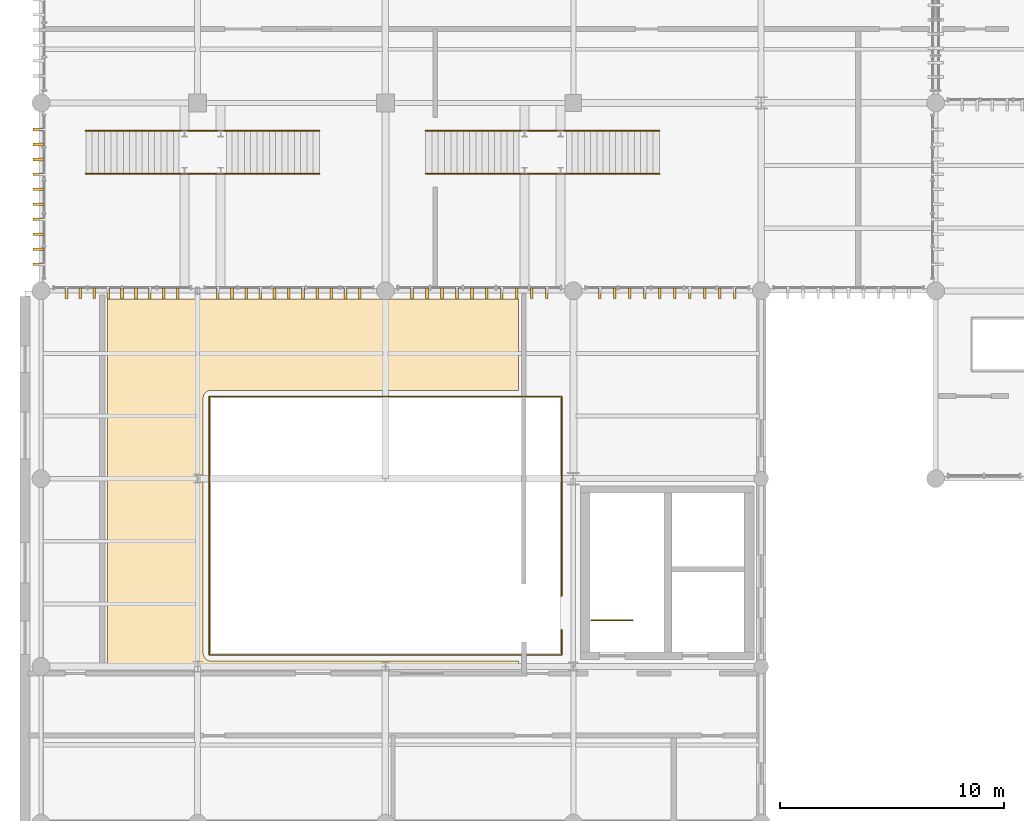
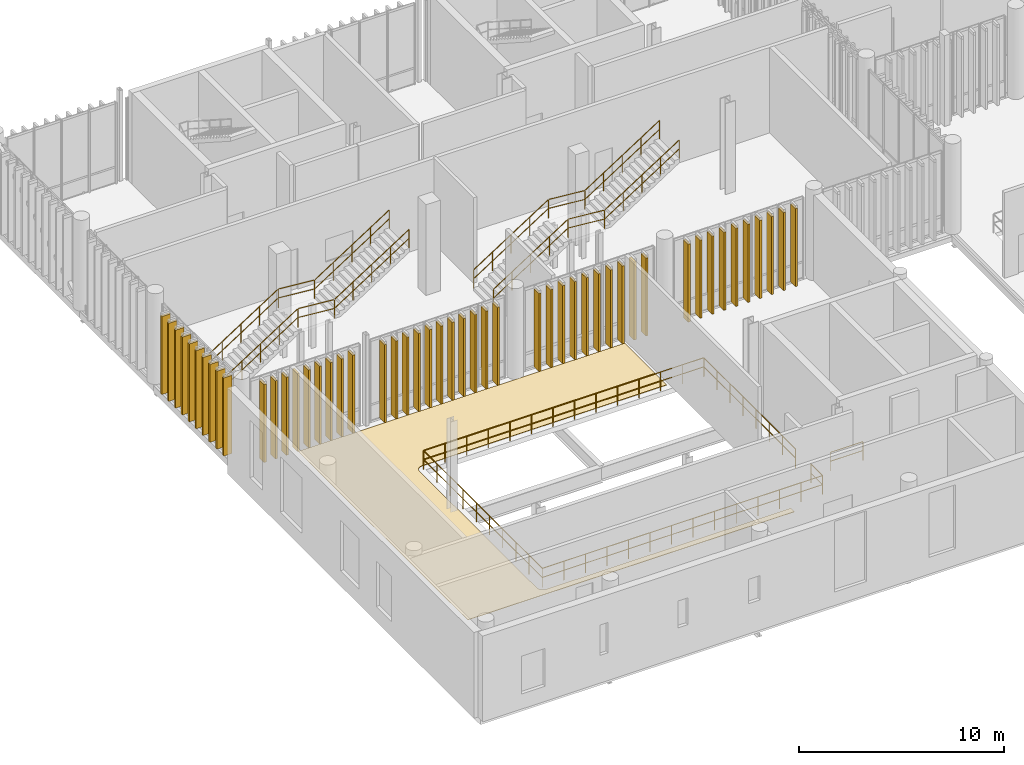
# One storey, part 119 of 128: 51 coverings, 10 railings.
"""IFC4 building model written with IfcOpenShell, lengths in metres."""

from ifc_helpers import new_model, si_unit, direction, frame, frame_2d, origin_with_axes, origin_2d_with_axis, place, context, subcontext, project, spatial, polyline, rectangle, circle, outline, extrude, material, type_object, element, save


model = new_model("IFC4")

# Units and contexts
model_context = context("Model", 3, precision=1e-05, world=origin_with_axes(), true_north=direction((0.0, 1.0)))
body_context = subcontext(model_context, "Body", "Model", "MODEL_VIEW")
ifc_project = project(units=[si_unit("LENGTHUNIT", "METRE"), si_unit("AREAUNIT", "SQUARE_METRE"), si_unit("VOLUMEUNIT", "CUBIC_METRE"), si_unit("PLANEANGLEUNIT", "RADIAN"), si_unit("MASSUNIT", "GRAM", prefix="KILO"), si_unit("THERMODYNAMICTEMPERATUREUNIT", "KELVIN")], contexts=[model_context])

# Site, building, storey
site_placement = place(None, origin_with_axes())
site = spatial("IfcSite", under=ifc_project, at=site_placement, CompositionType="ELEMENT")
building_placement = place(site_placement, origin_with_axes())
building = spatial("IfcBuilding", under=site, at=building_placement, Name="Montbau Bow Law Courts", CompositionType="ELEMENT")
storey_placement = place(building_placement, frame((0.0, 0.0, 5.4), z_axis=(0.0, 0.0, 1.0), x_axis=(1.0, 0.0, 0.0)))
storey = spatial("IfcBuildingStorey", under=building, at=storey_placement, Name="L01", CompositionType="ELEMENT", Elevation=5.4)

# Coverings
ifc_material_1 = material(Name="Honed Manitoba Tyndall Limestone Concourse Flooring", Category="masonry")
covering_type_1 = type_object("IfcCoveringType", Name="CV-FLR-01", PredefinedType="FLOORING", material=ifc_material_1)
covering_placement = place(None, frame((0.0, 0.0, 5.4), z_axis=(0.0, 0.0, 1.0), x_axis=(1.0, 0.0, 0.0)))
element("IfcCovering", 1, at=covering_placement, inside=storey, type_object=covering_type_1, Name="FLR-L01-02:cov_3537", PredefinedType="FLOORING", context=body_context, shape_type="SweptSolid", body=[
    extrude(outline(polyline([(9.78, 30.23), (28.146, 30.23), (28.146, 26.15), (14.396, 26.15), (14.365, 26.148), (14.33, 26.143), (14.3, 26.135), (14.265, 26.124), (14.233, 26.107), (14.208, 26.093), (14.177, 26.071), (14.153, 26.047), (14.129, 26.023), (14.107, 25.992), (14.093, 25.967), (14.076, 25.935), (14.065, 25.9), (14.057, 25.87), (14.052, 25.835), (14.05, 25.804), (14.05, 14.396), (14.052, 14.365), (14.057, 14.33), (14.065, 14.3), (14.076, 14.265), (14.093, 14.233), (14.107, 14.208), (14.129, 14.177), (14.153, 14.153), (14.177, 14.129), (14.208, 14.107), (14.233, 14.093), (14.265, 14.076), (14.3, 14.065), (14.33, 14.057), (14.365, 14.052), (14.396, 14.05), (28.146, 14.05), (28.146, 13.71), (9.78, 13.71), (9.78, 30.23)])), origin_with_axes(), (0.0, 0.0, 1.0), 0.025),
])
ifc_material_2 = material(Name="Freeze-Thaw Glazed Terracotta-Red Ceramic Vertical Louvre", Category="masonry")
covering_type_2 = type_object("IfcCoveringType", Name="CV-LVR-RED", PredefinedType="CLADDING", material=ifc_material_2)
for number, where, z_axis, x_axis, name in (
    (2, (7.937, 30.73, 5.4), (-1.0, 0.0, 0.0), (0.0, -1.0, 0.0), "CLV-L01-0151:cov_0196"),
    (3, (8.559, 30.73, 5.4), (-1.0, 0.0, 0.0), (0.0, -1.0, 0.0), "CLV-L01-0152:cov_0197"),
    (4, (9.18, 30.73, 5.4), (-1.0, 0.0, 0.0), (0.0, -1.0, 0.0), "CLV-L01-0153:cov_0198"),
    (5, (9.802, 30.73, 5.4), (-1.0, 0.0, 0.0), (0.0, -1.0, 0.0), "CLV-L01-0154:cov_0199"),
    (6, (10.424, 30.73, 5.4), (-1.0, 0.0, 0.0), (0.0, -1.0, 0.0), "CLV-L01-0155:cov_0200"),
    (7, (11.046, 30.73, 5.4), (-1.0, 0.0, 0.0), (0.0, -1.0, 0.0), "CLV-L01-0156:cov_0201"),
    (8, (11.668, 30.73, 5.4), (-1.0, 0.0, 0.0), (0.0, -1.0, 0.0), "CLV-L01-0157:cov_0202"),
    (9, (12.289, 30.73, 5.4), (-1.0, 0.0, 0.0), (0.0, -1.0, 0.0), "CLV-L01-0158:cov_0203"),
    (10, (12.911, 30.73, 5.4), (-1.0, 0.0, 0.0), (0.0, -1.0, 0.0), "CLV-L01-0159:cov_0204"),
    (11, (14.703, 30.73, 5.4), (-1.0, 0.0, 0.0), (0.0, -1.0, 0.0), "CLV-L01-0160:cov_0205"),
    (12, (15.337, 30.73, 5.4), (-1.0, 0.0, 0.0), (0.0, -1.0, 0.0), "CLV-L01-0161:cov_0206"),
    (13, (15.972, 30.73, 5.4), (-1.0, 0.0, 0.0), (0.0, -1.0, 0.0), "CLV-L01-0162:cov_0207"),
    (14, (16.607, 30.73, 5.4), (-1.0, 0.0, 0.0), (0.0, -1.0, 0.0), "CLV-L01-0163:cov_0208"),
    (15, (17.242, 30.73, 5.4), (-1.0, 0.0, 0.0), (0.0, -1.0, 0.0), "CLV-L01-0164:cov_0209"),
    (16, (17.876, 30.73, 5.4), (-1.0, 0.0, 0.0), (0.0, -1.0, 0.0), "CLV-L01-0165:cov_0210"),
    (17, (18.511, 30.73, 5.4), (-1.0, 0.0, 0.0), (0.0, -1.0, 0.0), "CLV-L01-0166:cov_0211"),
    (18, (19.146, 30.73, 5.4), (-1.0, 0.0, 0.0), (0.0, -1.0, 0.0), "CLV-L01-0167:cov_0212"),
    (19, (19.781, 30.73, 5.4), (-1.0, 0.0, 0.0), (0.0, -1.0, 0.0), "CLV-L01-0168:cov_0213"),
    (20, (20.415, 30.73, 5.4), (-1.0, 0.0, 0.0), (0.0, -1.0, 0.0), "CLV-L01-0169:cov_0214"),
    (21, (21.05, 30.73, 5.4), (-1.0, 0.0, 0.0), (0.0, -1.0, 0.0), "CLV-L01-0170:cov_0215"),
    (22, (23.385, 30.73, 5.4), (-1.0, 0.0, 0.0), (0.0, -1.0, 0.0), "CLV-L01-0171:cov_0216"),
    (23, (24.055, 30.73, 5.4), (-1.0, 0.0, 0.0), (0.0, -1.0, 0.0), "CLV-L01-0172:cov_0217"),
    (24, (24.725, 30.73, 5.4), (-1.0, 0.0, 0.0), (0.0, -1.0, 0.0), "CLV-L01-0173:cov_0218"),
    (25, (25.395, 30.73, 5.4), (-1.0, 0.0, 0.0), (0.0, -1.0, 0.0), "CLV-L01-0174:cov_0219"),
    (26, (26.065, 30.73, 5.4), (-1.0, 0.0, 0.0), (0.0, -1.0, 0.0), "CLV-L01-0175:cov_0220"),
    (27, (26.735, 30.73, 5.4), (-1.0, 0.0, 0.0), (0.0, -1.0, 0.0), "CLV-L01-0176:cov_0221"),
    (28, (27.405, 30.73, 5.4), (-1.0, 0.0, 0.0), (0.0, -1.0, 0.0), "CLV-L01-0177:cov_0222"),
    (29, (28.075, 30.73, 5.4), (-1.0, 0.0, 0.0), (0.0, -1.0, 0.0), "CLV-L01-0178:cov_0223"),
    (30, (28.745, 30.73, 5.4), (-1.0, 0.0, 0.0), (0.0, -1.0, 0.0), "CLV-L01-0179:cov_0224"),
    (31, (29.415, 30.73, 5.4), (-1.0, 0.0, 0.0), (0.0, -1.0, 0.0), "CLV-L01-0180:cov_0225"),
    (32, (31.785, 30.73, 5.4), (-1.0, 0.0, 0.0), (0.0, -1.0, 0.0), "CLV-L01-0181:cov_0226"),
    (33, (32.455, 30.73, 5.4), (-1.0, 0.0, 0.0), (0.0, -1.0, 0.0), "CLV-L01-0182:cov_0227"),
    (34, (33.125, 30.73, 5.4), (-1.0, 0.0, 0.0), (0.0, -1.0, 0.0), "CLV-L01-0183:cov_0228"),
    (35, (33.795, 30.73, 5.4), (-1.0, 0.0, 0.0), (0.0, -1.0, 0.0), "CLV-L01-0184:cov_0229"),
    (36, (34.465, 30.73, 5.4), (-1.0, 0.0, 0.0), (0.0, -1.0, 0.0), "CLV-L01-0185:cov_0230"),
    (37, (35.135, 30.73, 5.4), (-1.0, 0.0, 0.0), (0.0, -1.0, 0.0), "CLV-L01-0186:cov_0231"),
    (38, (35.805, 30.73, 5.4), (-1.0, 0.0, 0.0), (0.0, -1.0, 0.0), "CLV-L01-0187:cov_0232"),
    (39, (36.475, 30.73, 5.4), (-1.0, 0.0, 0.0), (0.0, -1.0, 0.0), "CLV-L01-0188:cov_0233"),
    (40, (37.145, 30.73, 5.4), (-1.0, 0.0, 0.0), (0.0, -1.0, 0.0), "CLV-L01-0189:cov_0234"),
    (41, (37.815, 30.73, 5.4), (-1.0, 0.0, 0.0), (0.0, -1.0, 0.0), "CLV-L01-0190:cov_0235"),
    (42, (6.93, 31.785, 5.4), (0.0, 1.0, 0.0), (-1.0, 0.0, 0.0), "CLV-L01-0252:cov_0297"),
    (43, (6.93, 32.455, 5.4), (0.0, 1.0, 0.0), (-1.0, 0.0, 0.0), "CLV-L01-0253:cov_0298"),
    (44, (6.93, 33.125, 5.4), (0.0, 1.0, 0.0), (-1.0, 0.0, 0.0), "CLV-L01-0254:cov_0299"),
    (45, (6.93, 33.795, 5.4), (0.0, 1.0, 0.0), (-1.0, 0.0, 0.0), "CLV-L01-0255:cov_0300"),
    (46, (6.93, 34.465, 5.4), (0.0, 1.0, 0.0), (-1.0, 0.0, 0.0), "CLV-L01-0256:cov_0301"),
    (47, (6.93, 35.135, 5.4), (0.0, 1.0, 0.0), (-1.0, 0.0, 0.0), "CLV-L01-0257:cov_0302"),
    (48, (6.93, 35.805, 5.4), (0.0, 1.0, 0.0), (-1.0, 0.0, 0.0), "CLV-L01-0258:cov_0303"),
    (49, (6.93, 36.475, 5.4), (0.0, 1.0, 0.0), (-1.0, 0.0, 0.0), "CLV-L01-0259:cov_0304"),
    (50, (6.93, 37.145, 5.4), (0.0, 1.0, 0.0), (-1.0, 0.0, 0.0), "CLV-L01-0260:cov_0305"),
    (51, (6.93, 37.815, 5.4), (0.0, 1.0, 0.0), (-1.0, 0.0, 0.0), "CLV-L01-0261:cov_0306"),
):
    element("IfcCovering", number, at=place(None, frame(where, z_axis=z_axis, x_axis=x_axis)), inside=storey, type_object=covering_type_2, Name=name, PredefinedType="CLADDING", context=body_context, shape_type="SweptSolid", body=[
        extrude(rectangle(XDim=0.48, YDim=4.64, at=frame_2d((0.24, 2.32), x_axis=(1.0, 0.0))), frame((0.0, 0.0, -0.06), z_axis=(0.0, 0.0, 1.0), x_axis=(1.0, 0.0, 0.0)), (0.0, 0.0, 1.0), 0.12),
    ])

# Railings
ifc_material_3 = material(Name="Laminated Glass and Bronze Gallery Balustrade", Category="glass")
railing_type_1 = type_object("IfcRailingType", Name="RL-BAL-1120", PredefinedType="BALUSTRADE", material=ifc_material_3)
railing_1_placement = place(None, origin_with_axes())
element("IfcRailing", 52, at=railing_1_placement, inside=storey, type_object=railing_type_1, Name="BAL-VOID-CER-L01-S:rlg_0309", PredefinedType="BALUSTRADE", context=body_context, shape_type="SweptSolid", body=[
    extrude(circle(Radius=0.025, at=origin_2d_with_axis()), frame((14.32, 14.32, 6.522), z_axis=(1.0, 0.0, 0.0), x_axis=(0.0, 0.0, 1.0)), (0.0, 0.0, 1.0), 15.76),
    extrude(circle(Radius=0.022500000000000003, at=origin_2d_with_axis()), frame((14.32, 14.32, 5.9824), z_axis=(1.0, 0.0, 0.0), x_axis=(0.0, 0.0, 1.0)), (0.0, 0.0, 1.0), 15.76),
    extrude(circle(Radius=0.022500000000000003, at=origin_2d_with_axis()), frame((14.32, 14.32, 5.4), z_axis=(0.0, 0.0, 1.0), x_axis=(1.0, 0.0, 0.0)), (0.0, 0.0, 1.0), 1.0925),
    extrude(circle(Radius=0.022500000000000003, at=origin_2d_with_axis()), frame((15.532308, 14.32, 5.4), z_axis=(0.0, 0.0, 1.0), x_axis=(1.0, 0.0, 0.0)), (0.0, 0.0, 1.0), 1.0925),
    extrude(circle(Radius=0.022500000000000003, at=origin_2d_with_axis()), frame((16.744615, 14.32, 5.4), z_axis=(0.0, 0.0, 1.0), x_axis=(1.0, 0.0, 0.0)), (0.0, 0.0, 1.0), 1.0925),
    extrude(circle(Radius=0.022500000000000003, at=origin_2d_with_axis()), frame((17.956923, 14.32, 5.4), z_axis=(0.0, 0.0, 1.0), x_axis=(1.0, 0.0, 0.0)), (0.0, 0.0, 1.0), 1.0925),
    extrude(circle(Radius=0.022500000000000003, at=origin_2d_with_axis()), frame((19.169231, 14.32, 5.4), z_axis=(0.0, 0.0, 1.0), x_axis=(1.0, 0.0, 0.0)), (0.0, 0.0, 1.0), 1.0925),
    extrude(circle(Radius=0.022500000000000003, at=origin_2d_with_axis()), frame((20.381538, 14.32, 5.4), z_axis=(0.0, 0.0, 1.0), x_axis=(1.0, 0.0, 0.0)), (0.0, 0.0, 1.0), 1.0925),
    extrude(circle(Radius=0.022500000000000003, at=origin_2d_with_axis()), frame((21.593846, 14.32, 5.4), z_axis=(0.0, 0.0, 1.0), x_axis=(1.0, 0.0, 0.0)), (0.0, 0.0, 1.0), 1.0925),
    extrude(circle(Radius=0.022500000000000003, at=origin_2d_with_axis()), frame((22.806154, 14.32, 5.4), z_axis=(0.0, 0.0, 1.0), x_axis=(1.0, 0.0, 0.0)), (0.0, 0.0, 1.0), 1.0925),
    extrude(circle(Radius=0.022500000000000003, at=origin_2d_with_axis()), frame((24.018462, 14.32, 5.4), z_axis=(0.0, 0.0, 1.0), x_axis=(1.0, 0.0, 0.0)), (0.0, 0.0, 1.0), 1.0925),
    extrude(circle(Radius=0.022500000000000003, at=origin_2d_with_axis()), frame((25.230769, 14.32, 5.4), z_axis=(0.0, 0.0, 1.0), x_axis=(1.0, 0.0, 0.0)), (0.0, 0.0, 1.0), 1.0925),
    extrude(circle(Radius=0.022500000000000003, at=origin_2d_with_axis()), frame((26.443077, 14.32, 5.4), z_axis=(0.0, 0.0, 1.0), x_axis=(1.0, 0.0, 0.0)), (0.0, 0.0, 1.0), 1.0925),
    extrude(circle(Radius=0.022500000000000003, at=origin_2d_with_axis()), frame((27.655385, 14.32, 5.4), z_axis=(0.0, 0.0, 1.0), x_axis=(1.0, 0.0, 0.0)), (0.0, 0.0, 1.0), 1.0925),
    extrude(circle(Radius=0.022500000000000003, at=origin_2d_with_axis()), frame((28.867692, 14.32, 5.4), z_axis=(0.0, 0.0, 1.0), x_axis=(1.0, 0.0, 0.0)), (0.0, 0.0, 1.0), 1.0925),
    extrude(circle(Radius=0.022500000000000003, at=origin_2d_with_axis()), frame((30.08, 14.32, 5.4), z_axis=(0.0, 0.0, 1.0), x_axis=(1.0, 0.0, 0.0)), (0.0, 0.0, 1.0), 1.0925),
])
railing_2_placement = place(None, origin_with_axes())
element("IfcRailing", 53, at=railing_2_placement, inside=storey, type_object=railing_type_1, Name="BAL-VOID-CER-L01-E1:rlg_0310", PredefinedType="BALUSTRADE", context=body_context, shape_type="SweptSolid", body=[
    extrude(circle(Radius=0.025, at=origin_2d_with_axis()), frame((30.08, 14.32, 6.522), z_axis=(0.0, 1.0, 0.0), x_axis=(0.0, 0.0, 1.0)), (0.0, 0.0, 1.0), 1.13),
    extrude(circle(Radius=0.022500000000000003, at=origin_2d_with_axis()), frame((30.08, 14.32, 5.9824), z_axis=(0.0, 1.0, 0.0), x_axis=(0.0, 0.0, 1.0)), (0.0, 0.0, 1.0), 1.13),
    extrude(circle(Radius=0.022500000000000003, at=origin_2d_with_axis()), frame((30.08, 14.32, 5.4), z_axis=(0.0, 0.0, 1.0), x_axis=(1.0, 0.0, 0.0)), (0.0, 0.0, 1.0), 1.0925),
    extrude(circle(Radius=0.022500000000000003, at=origin_2d_with_axis()), frame((30.08, 15.45, 5.4), z_axis=(0.0, 0.0, 1.0), x_axis=(1.0, 0.0, 0.0)), (0.0, 0.0, 1.0), 1.0925),
])
railing_3_placement = place(None, origin_with_axes())
element("IfcRailing", 54, at=railing_3_placement, inside=storey, type_object=railing_type_1, Name="BAL-VOID-CER-L01-E2:rlg_0311", PredefinedType="BALUSTRADE", context=body_context, shape_type="SweptSolid", body=[
    extrude(circle(Radius=0.025, at=origin_2d_with_axis()), frame((30.08, 16.95, 6.522), z_axis=(0.0, 1.0, 0.0), x_axis=(0.0, 0.0, 1.0)), (0.0, 0.0, 1.0), 8.93),
    extrude(circle(Radius=0.022500000000000003, at=origin_2d_with_axis()), frame((30.08, 16.95, 5.9824), z_axis=(0.0, 1.0, 0.0), x_axis=(0.0, 0.0, 1.0)), (0.0, 0.0, 1.0), 8.93),
    extrude(circle(Radius=0.022500000000000003, at=origin_2d_with_axis()), frame((30.08, 16.95, 5.4), z_axis=(0.0, 0.0, 1.0), x_axis=(1.0, 0.0, 0.0)), (0.0, 0.0, 1.0), 1.0925),
    extrude(circle(Radius=0.022500000000000003, at=origin_2d_with_axis()), frame((30.08, 18.225714, 5.4), z_axis=(0.0, 0.0, 1.0), x_axis=(1.0, 0.0, 0.0)), (0.0, 0.0, 1.0), 1.0925),
    extrude(circle(Radius=0.022500000000000003, at=origin_2d_with_axis()), frame((30.08, 19.501429, 5.4), z_axis=(0.0, 0.0, 1.0), x_axis=(1.0, 0.0, 0.0)), (0.0, 0.0, 1.0), 1.0925),
    extrude(circle(Radius=0.022500000000000003, at=origin_2d_with_axis()), frame((30.08, 20.777143, 5.4), z_axis=(0.0, 0.0, 1.0), x_axis=(1.0, 0.0, 0.0)), (0.0, 0.0, 1.0), 1.0925),
    extrude(circle(Radius=0.022500000000000003, at=origin_2d_with_axis()), frame((30.08, 22.052857, 5.4), z_axis=(0.0, 0.0, 1.0), x_axis=(1.0, 0.0, 0.0)), (0.0, 0.0, 1.0), 1.0925),
    extrude(circle(Radius=0.022500000000000003, at=origin_2d_with_axis()), frame((30.08, 23.328571, 5.4), z_axis=(0.0, 0.0, 1.0), x_axis=(1.0, 0.0, 0.0)), (0.0, 0.0, 1.0), 1.0925),
    extrude(circle(Radius=0.022500000000000003, at=origin_2d_with_axis()), frame((30.08, 24.604286, 5.4), z_axis=(0.0, 0.0, 1.0), x_axis=(1.0, 0.0, 0.0)), (0.0, 0.0, 1.0), 1.0925),
    extrude(circle(Radius=0.022500000000000003, at=origin_2d_with_axis()), frame((30.08, 25.88, 5.4), z_axis=(0.0, 0.0, 1.0), x_axis=(1.0, 0.0, 0.0)), (0.0, 0.0, 1.0), 1.0925),
])
railing_4_placement = place(None, origin_with_axes())
element("IfcRailing", 55, at=railing_4_placement, inside=storey, type_object=railing_type_1, Name="BAL-VOID-CER-L01-N:rlg_0312", PredefinedType="BALUSTRADE", context=body_context, shape_type="SweptSolid", body=[
    extrude(circle(Radius=0.025, at=origin_2d_with_axis()), frame((30.08, 25.88, 6.522), z_axis=(-1.0, 0.0, 0.0), x_axis=(0.0, 0.0, 1.0)), (0.0, 0.0, 1.0), 15.76),
    extrude(circle(Radius=0.022500000000000003, at=origin_2d_with_axis()), frame((30.08, 25.88, 5.9824), z_axis=(-1.0, 0.0, 0.0), x_axis=(0.0, 0.0, 1.0)), (0.0, 0.0, 1.0), 15.76),
    extrude(circle(Radius=0.022500000000000003, at=origin_2d_with_axis()), frame((30.08, 25.88, 5.4), z_axis=(0.0, 0.0, 1.0), x_axis=(1.0, 0.0, 0.0)), (0.0, 0.0, 1.0), 1.0925),
    extrude(circle(Radius=0.022500000000000003, at=origin_2d_with_axis()), frame((28.867692, 25.88, 5.4), z_axis=(0.0, 0.0, 1.0), x_axis=(1.0, 0.0, 0.0)), (0.0, 0.0, 1.0), 1.0925),
    extrude(circle(Radius=0.022500000000000003, at=origin_2d_with_axis()), frame((27.655385, 25.88, 5.4), z_axis=(0.0, 0.0, 1.0), x_axis=(1.0, 0.0, 0.0)), (0.0, 0.0, 1.0), 1.0925),
    extrude(circle(Radius=0.022500000000000003, at=origin_2d_with_axis()), frame((26.443077, 25.88, 5.4), z_axis=(0.0, 0.0, 1.0), x_axis=(1.0, 0.0, 0.0)), (0.0, 0.0, 1.0), 1.0925),
    extrude(circle(Radius=0.022500000000000003, at=origin_2d_with_axis()), frame((25.230769, 25.88, 5.4), z_axis=(0.0, 0.0, 1.0), x_axis=(1.0, 0.0, 0.0)), (0.0, 0.0, 1.0), 1.0925),
    extrude(circle(Radius=0.022500000000000003, at=origin_2d_with_axis()), frame((24.018462, 25.88, 5.4), z_axis=(0.0, 0.0, 1.0), x_axis=(1.0, 0.0, 0.0)), (0.0, 0.0, 1.0), 1.0925),
    extrude(circle(Radius=0.022500000000000003, at=origin_2d_with_axis()), frame((22.806154, 25.88, 5.4), z_axis=(0.0, 0.0, 1.0), x_axis=(1.0, 0.0, 0.0)), (0.0, 0.0, 1.0), 1.0925),
    extrude(circle(Radius=0.022500000000000003, at=origin_2d_with_axis()), frame((21.593846, 25.88, 5.4), z_axis=(0.0, 0.0, 1.0), x_axis=(1.0, 0.0, 0.0)), (0.0, 0.0, 1.0), 1.0925),
    extrude(circle(Radius=0.022500000000000003, at=origin_2d_with_axis()), frame((20.381538, 25.88, 5.4), z_axis=(0.0, 0.0, 1.0), x_axis=(1.0, 0.0, 0.0)), (0.0, 0.0, 1.0), 1.0925),
    extrude(circle(Radius=0.022500000000000003, at=origin_2d_with_axis()), frame((19.169231, 25.88, 5.4), z_axis=(0.0, 0.0, 1.0), x_axis=(1.0, 0.0, 0.0)), (0.0, 0.0, 1.0), 1.0925),
    extrude(circle(Radius=0.022500000000000003, at=origin_2d_with_axis()), frame((17.956923, 25.88, 5.4), z_axis=(0.0, 0.0, 1.0), x_axis=(1.0, 0.0, 0.0)), (0.0, 0.0, 1.0), 1.0925),
    extrude(circle(Radius=0.022500000000000003, at=origin_2d_with_axis()), frame((16.744615, 25.88, 5.4), z_axis=(0.0, 0.0, 1.0), x_axis=(1.0, 0.0, 0.0)), (0.0, 0.0, 1.0), 1.0925),
    extrude(circle(Radius=0.022500000000000003, at=origin_2d_with_axis()), frame((15.532308, 25.88, 5.4), z_axis=(0.0, 0.0, 1.0), x_axis=(1.0, 0.0, 0.0)), (0.0, 0.0, 1.0), 1.0925),
    extrude(circle(Radius=0.022500000000000003, at=origin_2d_with_axis()), frame((14.32, 25.88, 5.4), z_axis=(0.0, 0.0, 1.0), x_axis=(1.0, 0.0, 0.0)), (0.0, 0.0, 1.0), 1.0925),
])
railing_5_placement = place(None, origin_with_axes())
element("IfcRailing", 56, at=railing_5_placement, inside=storey, type_object=railing_type_1, Name="BAL-VOID-CER-L01-W:rlg_0313", PredefinedType="BALUSTRADE", context=body_context, shape_type="SweptSolid", body=[
    extrude(circle(Radius=0.025, at=origin_2d_with_axis()), frame((14.32, 25.88, 6.522), z_axis=(0.0, -1.0, 0.0), x_axis=(0.0, 0.0, 1.0)), (0.0, 0.0, 1.0), 11.56),
    extrude(circle(Radius=0.022500000000000003, at=origin_2d_with_axis()), frame((14.32, 25.88, 5.9824), z_axis=(0.0, -1.0, 0.0), x_axis=(0.0, 0.0, 1.0)), (0.0, 0.0, 1.0), 11.56),
    extrude(circle(Radius=0.022500000000000003, at=origin_2d_with_axis()), frame((14.32, 25.88, 5.4), z_axis=(0.0, 0.0, 1.0), x_axis=(1.0, 0.0, 0.0)), (0.0, 0.0, 1.0), 1.0925),
    extrude(circle(Radius=0.022500000000000003, at=origin_2d_with_axis()), frame((14.32, 24.595556, 5.4), z_axis=(0.0, 0.0, 1.0), x_axis=(1.0, 0.0, 0.0)), (0.0, 0.0, 1.0), 1.0925),
    extrude(circle(Radius=0.022500000000000003, at=origin_2d_with_axis()), frame((14.32, 23.311111, 5.4), z_axis=(0.0, 0.0, 1.0), x_axis=(1.0, 0.0, 0.0)), (0.0, 0.0, 1.0), 1.0925),
    extrude(circle(Radius=0.022500000000000003, at=origin_2d_with_axis()), frame((14.32, 22.026667, 5.4), z_axis=(0.0, 0.0, 1.0), x_axis=(1.0, 0.0, 0.0)), (0.0, 0.0, 1.0), 1.0925),
    extrude(circle(Radius=0.022500000000000003, at=origin_2d_with_axis()), frame((14.32, 20.742222, 5.4), z_axis=(0.0, 0.0, 1.0), x_axis=(1.0, 0.0, 0.0)), (0.0, 0.0, 1.0), 1.0925),
    extrude(circle(Radius=0.022500000000000003, at=origin_2d_with_axis()), frame((14.32, 19.457778, 5.4), z_axis=(0.0, 0.0, 1.0), x_axis=(1.0, 0.0, 0.0)), (0.0, 0.0, 1.0), 1.0925),
    extrude(circle(Radius=0.022500000000000003, at=origin_2d_with_axis()), frame((14.32, 18.173333, 5.4), z_axis=(0.0, 0.0, 1.0), x_axis=(1.0, 0.0, 0.0)), (0.0, 0.0, 1.0), 1.0925),
    extrude(circle(Radius=0.022500000000000003, at=origin_2d_with_axis()), frame((14.32, 16.888889, 5.4), z_axis=(0.0, 0.0, 1.0), x_axis=(1.0, 0.0, 0.0)), (0.0, 0.0, 1.0), 1.0925),
    extrude(circle(Radius=0.022500000000000003, at=origin_2d_with_axis()), frame((14.32, 15.604444, 5.4), z_axis=(0.0, 0.0, 1.0), x_axis=(1.0, 0.0, 0.0)), (0.0, 0.0, 1.0), 1.0925),
    extrude(circle(Radius=0.022500000000000003, at=origin_2d_with_axis()), frame((14.32, 14.32, 5.4), z_axis=(0.0, 0.0, 1.0), x_axis=(1.0, 0.0, 0.0)), (0.0, 0.0, 1.0), 1.0925),
])
ifc_material_4 = material(Name="Architectural Bronze-Finished Steel Stair Guard", Category="steel")
railing_type_2 = type_object("IfcRailingType", Name="RL-GRD-1100", PredefinedType="GUARDRAIL", material=ifc_material_4)
railing_6_placement = place(None, origin_with_axes())
element("IfcRailing", 57, at=railing_6_placement, inside=storey, type_object=railing_type_2, Name="SG-ST-CER1-L00-TOP:rlg_0266", PredefinedType="GUARDRAIL", context=body_context, shape_type="SweptSolid", body=[
    extrude(circle(Radius=0.0225, at=origin_2d_with_axis()), frame((31.405, 15.86, 6.502), z_axis=(1.0, 0.0, 0.0), x_axis=(0.0, 0.0, 1.0)), (0.0, 0.0, 1.0), 1.845),
    extrude(circle(Radius=0.02025, at=origin_2d_with_axis()), frame((31.405, 15.86, 5.972), z_axis=(1.0, 0.0, 0.0), x_axis=(0.0, 0.0, 1.0)), (0.0, 0.0, 1.0), 1.845),
    extrude(circle(Radius=0.02025, at=origin_2d_with_axis()), frame((31.405, 15.86, 5.4), z_axis=(0.0, 0.0, 1.0), x_axis=(1.0, 0.0, 0.0)), (0.0, 0.0, 1.0), 1.07525),
    extrude(circle(Radius=0.02025, at=origin_2d_with_axis()), frame((33.25, 15.86, 5.4), z_axis=(0.0, 0.0, 1.0), x_axis=(1.0, 0.0, 0.0)), (0.0, 0.0, 1.0), 1.07525),
])
railing_7_placement = place(None, origin_with_axes())
element("IfcRailing", 58, at=railing_7_placement, inside=storey, type_object=railing_type_2, Name="SG-ST-TRL-01-S:rlg_0281", PredefinedType="GUARDRAIL", context=body_context, shape_type="SweptSolid", body=[
    extrude(circle(Radius=0.0225, at=origin_2d_with_axis()), frame((24.0, 35.84, 6.682), z_axis=(0.841178475, 0.0, 0.540757591), x_axis=(-0.540757591, 0.0, 0.841178475)), (0.0, 0.0, 1.0), 4.963745),
    extrude(circle(Radius=0.02025, at=origin_2d_with_axis()), frame((24.0, 35.84, 6.152), z_axis=(0.841178475, 0.0, 0.540757591), x_axis=(-0.540757591, 0.0, 0.841178475)), (0.0, 0.0, 1.0), 4.963745),
    extrude(circle(Radius=0.02025, at=origin_2d_with_axis()), frame((24.0, 35.84, 5.58), z_axis=(0.0, 0.0, 1.0), x_axis=(1.0, 0.0, 0.0)), (0.0, 0.0, 1.0), 1.07525),
    extrude(circle(Radius=0.02025, at=origin_2d_with_axis()), frame((25.05, 35.84, 6.255), z_axis=(0.0, 0.0, 1.0), x_axis=(1.0, 0.0, 0.0)), (0.0, 0.0, 1.0), 1.07525),
    extrude(circle(Radius=0.02025, at=origin_2d_with_axis()), frame((26.1, 35.84, 6.93), z_axis=(0.0, 0.0, 1.0), x_axis=(1.0, 0.0, 0.0)), (0.0, 0.0, 1.0), 1.07525),
    extrude(circle(Radius=0.02025, at=origin_2d_with_axis()), frame((27.15, 35.84, 7.605), z_axis=(0.0, 0.0, 1.0), x_axis=(1.0, 0.0, 0.0)), (0.0, 0.0, 1.0), 1.07525),
    extrude(circle(Radius=0.02025, at=origin_2d_with_axis()), frame((28.2, 35.84, 8.28), z_axis=(0.0, 0.0, 1.0), x_axis=(1.0, 0.0, 0.0)), (0.0, 0.0, 1.0), 1.07525),
    extrude(circle(Radius=0.0225, at=origin_2d_with_axis()), frame((28.229138, 35.84, 9.379442), z_axis=(0.996167299, 0.0, -0.087468348), x_axis=(0.087468348, 0.0, 0.996167299)), (0.0, 0.0, 1.0), 1.999387),
    extrude(circle(Radius=0.02025, at=origin_2d_with_axis()), frame((28.229138, 35.84, 8.849442), z_axis=(0.996167299, 0.0, -0.087468348), x_axis=(0.087468348, 0.0, 0.996167299)), (0.0, 0.0, 1.0), 1.999387),
    extrude(circle(Radius=0.02025, at=origin_2d_with_axis()), frame((30.25, 35.84, 8.1), z_axis=(0.0, 0.0, 1.0), x_axis=(1.0, 0.0, 0.0)), (0.0, 0.0, 1.0), 1.07525),
    extrude(circle(Radius=0.0225, at=origin_2d_with_axis()), frame((30.274604, 35.84, 9.217817), z_axis=(0.841178475, 0.0, 0.540757591), x_axis=(-0.540757591, 0.0, 0.841178475)), (0.0, 0.0, 1.0), 4.963745),
    extrude(circle(Radius=0.02025, at=origin_2d_with_axis()), frame((30.274604, 35.84, 8.687817), z_axis=(0.841178475, 0.0, 0.540757591), x_axis=(-0.540757591, 0.0, 0.841178475)), (0.0, 0.0, 1.0), 4.963745),
    extrude(circle(Radius=0.02025, at=origin_2d_with_axis()), frame((31.3, 35.84, 8.775), z_axis=(0.0, 0.0, 1.0), x_axis=(1.0, 0.0, 0.0)), (0.0, 0.0, 1.0), 1.07525),
    extrude(circle(Radius=0.02025, at=origin_2d_with_axis()), frame((32.35, 35.84, 9.45), z_axis=(0.0, 0.0, 1.0), x_axis=(1.0, 0.0, 0.0)), (0.0, 0.0, 1.0), 1.07525),
    extrude(circle(Radius=0.02025, at=origin_2d_with_axis()), frame((33.4, 35.84, 10.125), z_axis=(0.0, 0.0, 1.0), x_axis=(1.0, 0.0, 0.0)), (0.0, 0.0, 1.0), 1.07525),
    extrude(circle(Radius=0.02025, at=origin_2d_with_axis()), frame((34.45, 35.84, 10.8), z_axis=(0.0, 0.0, 1.0), x_axis=(1.0, 0.0, 0.0)), (0.0, 0.0, 1.0), 1.07525),
])
railing_8_placement = place(None, origin_with_axes())
element("IfcRailing", 59, at=railing_8_placement, inside=storey, type_object=railing_type_2, Name="SG-ST-TRL-01-N:rlg_0282", PredefinedType="GUARDRAIL", context=body_context, shape_type="SweptSolid", body=[
    extrude(circle(Radius=0.0225, at=origin_2d_with_axis()), frame((24.0, 37.76, 6.682), z_axis=(0.841178475, 0.0, 0.540757591), x_axis=(-0.540757591, 0.0, 0.841178475)), (0.0, 0.0, 1.0), 4.963745),
    extrude(circle(Radius=0.02025, at=origin_2d_with_axis()), frame((24.0, 37.76, 6.152), z_axis=(0.841178475, 0.0, 0.540757591), x_axis=(-0.540757591, 0.0, 0.841178475)), (0.0, 0.0, 1.0), 4.963745),
    extrude(circle(Radius=0.02025, at=origin_2d_with_axis()), frame((24.0, 37.76, 5.58), z_axis=(0.0, 0.0, 1.0), x_axis=(1.0, 0.0, 0.0)), (0.0, 0.0, 1.0), 1.07525),
    extrude(circle(Radius=0.02025, at=origin_2d_with_axis()), frame((25.05, 37.76, 6.255), z_axis=(0.0, 0.0, 1.0), x_axis=(1.0, 0.0, 0.0)), (0.0, 0.0, 1.0), 1.07525),
    extrude(circle(Radius=0.02025, at=origin_2d_with_axis()), frame((26.1, 37.76, 6.93), z_axis=(0.0, 0.0, 1.0), x_axis=(1.0, 0.0, 0.0)), (0.0, 0.0, 1.0), 1.07525),
    extrude(circle(Radius=0.02025, at=origin_2d_with_axis()), frame((27.15, 37.76, 7.605), z_axis=(0.0, 0.0, 1.0), x_axis=(1.0, 0.0, 0.0)), (0.0, 0.0, 1.0), 1.07525),
    extrude(circle(Radius=0.02025, at=origin_2d_with_axis()), frame((28.2, 37.76, 8.28), z_axis=(0.0, 0.0, 1.0), x_axis=(1.0, 0.0, 0.0)), (0.0, 0.0, 1.0), 1.07525),
    extrude(circle(Radius=0.0225, at=origin_2d_with_axis()), frame((28.229138, 37.76, 9.379442), z_axis=(0.996167299, 0.0, -0.087468348), x_axis=(0.087468348, 0.0, 0.996167299)), (0.0, 0.0, 1.0), 1.999387),
    extrude(circle(Radius=0.02025, at=origin_2d_with_axis()), frame((28.229138, 37.76, 8.849442), z_axis=(0.996167299, 0.0, -0.087468348), x_axis=(0.087468348, 0.0, 0.996167299)), (0.0, 0.0, 1.0), 1.999387),
    extrude(circle(Radius=0.02025, at=origin_2d_with_axis()), frame((30.25, 37.76, 8.1), z_axis=(0.0, 0.0, 1.0), x_axis=(1.0, 0.0, 0.0)), (0.0, 0.0, 1.0), 1.07525),
    extrude(circle(Radius=0.0225, at=origin_2d_with_axis()), frame((30.274604, 37.76, 9.217817), z_axis=(0.841178475, 0.0, 0.540757591), x_axis=(-0.540757591, 0.0, 0.841178475)), (0.0, 0.0, 1.0), 4.963745),
    extrude(circle(Radius=0.02025, at=origin_2d_with_axis()), frame((30.274604, 37.76, 8.687817), z_axis=(0.841178475, 0.0, 0.540757591), x_axis=(-0.540757591, 0.0, 0.841178475)), (0.0, 0.0, 1.0), 4.963745),
    extrude(circle(Radius=0.02025, at=origin_2d_with_axis()), frame((31.3, 37.76, 8.775), z_axis=(0.0, 0.0, 1.0), x_axis=(1.0, 0.0, 0.0)), (0.0, 0.0, 1.0), 1.07525),
    extrude(circle(Radius=0.02025, at=origin_2d_with_axis()), frame((32.35, 37.76, 9.45), z_axis=(0.0, 0.0, 1.0), x_axis=(1.0, 0.0, 0.0)), (0.0, 0.0, 1.0), 1.07525),
    extrude(circle(Radius=0.02025, at=origin_2d_with_axis()), frame((33.4, 37.76, 10.125), z_axis=(0.0, 0.0, 1.0), x_axis=(1.0, 0.0, 0.0)), (0.0, 0.0, 1.0), 1.07525),
    extrude(circle(Radius=0.02025, at=origin_2d_with_axis()), frame((34.45, 37.76, 10.8), z_axis=(0.0, 0.0, 1.0), x_axis=(1.0, 0.0, 0.0)), (0.0, 0.0, 1.0), 1.07525),
])
railing_9_placement = place(None, origin_with_axes())
element("IfcRailing", 60, at=railing_9_placement, inside=storey, type_object=railing_type_2, Name="SG-ST-TRL-03-S:rlg_0287", PredefinedType="GUARDRAIL", context=body_context, shape_type="SweptSolid", body=[
    extrude(circle(Radius=0.0225, at=origin_2d_with_axis()), frame((8.8, 35.84, 6.682), z_axis=(0.841178475, 0.0, 0.540757591), x_axis=(-0.540757591, 0.0, 0.841178475)), (0.0, 0.0, 1.0), 4.963745),
    extrude(circle(Radius=0.02025, at=origin_2d_with_axis()), frame((8.8, 35.84, 6.152), z_axis=(0.841178475, 0.0, 0.540757591), x_axis=(-0.540757591, 0.0, 0.841178475)), (0.0, 0.0, 1.0), 4.963745),
    extrude(circle(Radius=0.02025, at=origin_2d_with_axis()), frame((8.8, 35.84, 5.58), z_axis=(0.0, 0.0, 1.0), x_axis=(1.0, 0.0, 0.0)), (0.0, 0.0, 1.0), 1.07525),
    extrude(circle(Radius=0.02025, at=origin_2d_with_axis()), frame((9.85, 35.84, 6.255), z_axis=(0.0, 0.0, 1.0), x_axis=(1.0, 0.0, 0.0)), (0.0, 0.0, 1.0), 1.07525),
    extrude(circle(Radius=0.02025, at=origin_2d_with_axis()), frame((10.9, 35.84, 6.93), z_axis=(0.0, 0.0, 1.0), x_axis=(1.0, 0.0, 0.0)), (0.0, 0.0, 1.0), 1.07525),
    extrude(circle(Radius=0.02025, at=origin_2d_with_axis()), frame((11.95, 35.84, 7.605), z_axis=(0.0, 0.0, 1.0), x_axis=(1.0, 0.0, 0.0)), (0.0, 0.0, 1.0), 1.07525),
    extrude(circle(Radius=0.02025, at=origin_2d_with_axis()), frame((13.0, 35.84, 8.28), z_axis=(0.0, 0.0, 1.0), x_axis=(1.0, 0.0, 0.0)), (0.0, 0.0, 1.0), 1.07525),
    extrude(circle(Radius=0.0225, at=origin_2d_with_axis()), frame((13.029138, 35.84, 9.379442), z_axis=(0.996167299, 0.0, -0.087468348), x_axis=(0.087468348, 0.0, 0.996167299)), (0.0, 0.0, 1.0), 1.999387),
    extrude(circle(Radius=0.02025, at=origin_2d_with_axis()), frame((13.029138, 35.84, 8.849442), z_axis=(0.996167299, 0.0, -0.087468348), x_axis=(0.087468348, 0.0, 0.996167299)), (0.0, 0.0, 1.0), 1.999387),
    extrude(circle(Radius=0.02025, at=origin_2d_with_axis()), frame((15.05, 35.84, 8.1), z_axis=(0.0, 0.0, 1.0), x_axis=(1.0, 0.0, 0.0)), (0.0, 0.0, 1.0), 1.07525),
    extrude(circle(Radius=0.0225, at=origin_2d_with_axis()), frame((15.074604, 35.84, 9.217817), z_axis=(0.841178475, 0.0, 0.540757591), x_axis=(-0.540757591, 0.0, 0.841178475)), (0.0, 0.0, 1.0), 4.963745),
    extrude(circle(Radius=0.02025, at=origin_2d_with_axis()), frame((15.074604, 35.84, 8.687817), z_axis=(0.841178475, 0.0, 0.540757591), x_axis=(-0.540757591, 0.0, 0.841178475)), (0.0, 0.0, 1.0), 4.963745),
    extrude(circle(Radius=0.02025, at=origin_2d_with_axis()), frame((16.1, 35.84, 8.775), z_axis=(0.0, 0.0, 1.0), x_axis=(1.0, 0.0, 0.0)), (0.0, 0.0, 1.0), 1.07525),
    extrude(circle(Radius=0.02025, at=origin_2d_with_axis()), frame((17.15, 35.84, 9.45), z_axis=(0.0, 0.0, 1.0), x_axis=(1.0, 0.0, 0.0)), (0.0, 0.0, 1.0), 1.07525),
    extrude(circle(Radius=0.02025, at=origin_2d_with_axis()), frame((18.2, 35.84, 10.125), z_axis=(0.0, 0.0, 1.0), x_axis=(1.0, 0.0, 0.0)), (0.0, 0.0, 1.0), 1.07525),
    extrude(circle(Radius=0.02025, at=origin_2d_with_axis()), frame((19.25, 35.84, 10.8), z_axis=(0.0, 0.0, 1.0), x_axis=(1.0, 0.0, 0.0)), (0.0, 0.0, 1.0), 1.07525),
])
railing_10_placement = place(None, origin_with_axes())
element("IfcRailing", 61, at=railing_10_placement, inside=storey, type_object=railing_type_2, Name="SG-ST-TRL-03-N:rlg_0288", PredefinedType="GUARDRAIL", context=body_context, shape_type="SweptSolid", body=[
    extrude(circle(Radius=0.0225, at=origin_2d_with_axis()), frame((8.8, 37.76, 6.682), z_axis=(0.841178475, 0.0, 0.540757591), x_axis=(-0.540757591, 0.0, 0.841178475)), (0.0, 0.0, 1.0), 4.963745),
    extrude(circle(Radius=0.02025, at=origin_2d_with_axis()), frame((8.8, 37.76, 6.152), z_axis=(0.841178475, 0.0, 0.540757591), x_axis=(-0.540757591, 0.0, 0.841178475)), (0.0, 0.0, 1.0), 4.963745),
    extrude(circle(Radius=0.02025, at=origin_2d_with_axis()), frame((8.8, 37.76, 5.58), z_axis=(0.0, 0.0, 1.0), x_axis=(1.0, 0.0, 0.0)), (0.0, 0.0, 1.0), 1.07525),
    extrude(circle(Radius=0.02025, at=origin_2d_with_axis()), frame((9.85, 37.76, 6.255), z_axis=(0.0, 0.0, 1.0), x_axis=(1.0, 0.0, 0.0)), (0.0, 0.0, 1.0), 1.07525),
    extrude(circle(Radius=0.02025, at=origin_2d_with_axis()), frame((10.9, 37.76, 6.93), z_axis=(0.0, 0.0, 1.0), x_axis=(1.0, 0.0, 0.0)), (0.0, 0.0, 1.0), 1.07525),
    extrude(circle(Radius=0.02025, at=origin_2d_with_axis()), frame((11.95, 37.76, 7.605), z_axis=(0.0, 0.0, 1.0), x_axis=(1.0, 0.0, 0.0)), (0.0, 0.0, 1.0), 1.07525),
    extrude(circle(Radius=0.02025, at=origin_2d_with_axis()), frame((13.0, 37.76, 8.28), z_axis=(0.0, 0.0, 1.0), x_axis=(1.0, 0.0, 0.0)), (0.0, 0.0, 1.0), 1.07525),
    extrude(circle(Radius=0.0225, at=origin_2d_with_axis()), frame((13.029138, 37.76, 9.379442), z_axis=(0.996167299, 0.0, -0.087468348), x_axis=(0.087468348, 0.0, 0.996167299)), (0.0, 0.0, 1.0), 1.999387),
    extrude(circle(Radius=0.02025, at=origin_2d_with_axis()), frame((13.029138, 37.76, 8.849442), z_axis=(0.996167299, 0.0, -0.087468348), x_axis=(0.087468348, 0.0, 0.996167299)), (0.0, 0.0, 1.0), 1.999387),
    extrude(circle(Radius=0.02025, at=origin_2d_with_axis()), frame((15.05, 37.76, 8.1), z_axis=(0.0, 0.0, 1.0), x_axis=(1.0, 0.0, 0.0)), (0.0, 0.0, 1.0), 1.07525),
    extrude(circle(Radius=0.0225, at=origin_2d_with_axis()), frame((15.074604, 37.76, 9.217817), z_axis=(0.841178475, 0.0, 0.540757591), x_axis=(-0.540757591, 0.0, 0.841178475)), (0.0, 0.0, 1.0), 4.963745),
    extrude(circle(Radius=0.02025, at=origin_2d_with_axis()), frame((15.074604, 37.76, 8.687817), z_axis=(0.841178475, 0.0, 0.540757591), x_axis=(-0.540757591, 0.0, 0.841178475)), (0.0, 0.0, 1.0), 4.963745),
    extrude(circle(Radius=0.02025, at=origin_2d_with_axis()), frame((16.1, 37.76, 8.775), z_axis=(0.0, 0.0, 1.0), x_axis=(1.0, 0.0, 0.0)), (0.0, 0.0, 1.0), 1.07525),
    extrude(circle(Radius=0.02025, at=origin_2d_with_axis()), frame((17.15, 37.76, 9.45), z_axis=(0.0, 0.0, 1.0), x_axis=(1.0, 0.0, 0.0)), (0.0, 0.0, 1.0), 1.07525),
    extrude(circle(Radius=0.02025, at=origin_2d_with_axis()), frame((18.2, 37.76, 10.125), z_axis=(0.0, 0.0, 1.0), x_axis=(1.0, 0.0, 0.0)), (0.0, 0.0, 1.0), 1.07525),
    extrude(circle(Radius=0.02025, at=origin_2d_with_axis()), frame((19.25, 37.76, 10.8), z_axis=(0.0, 0.0, 1.0), x_axis=(1.0, 0.0, 0.0)), (0.0, 0.0, 1.0), 1.07525),
])

save(model, "model.ifc")
